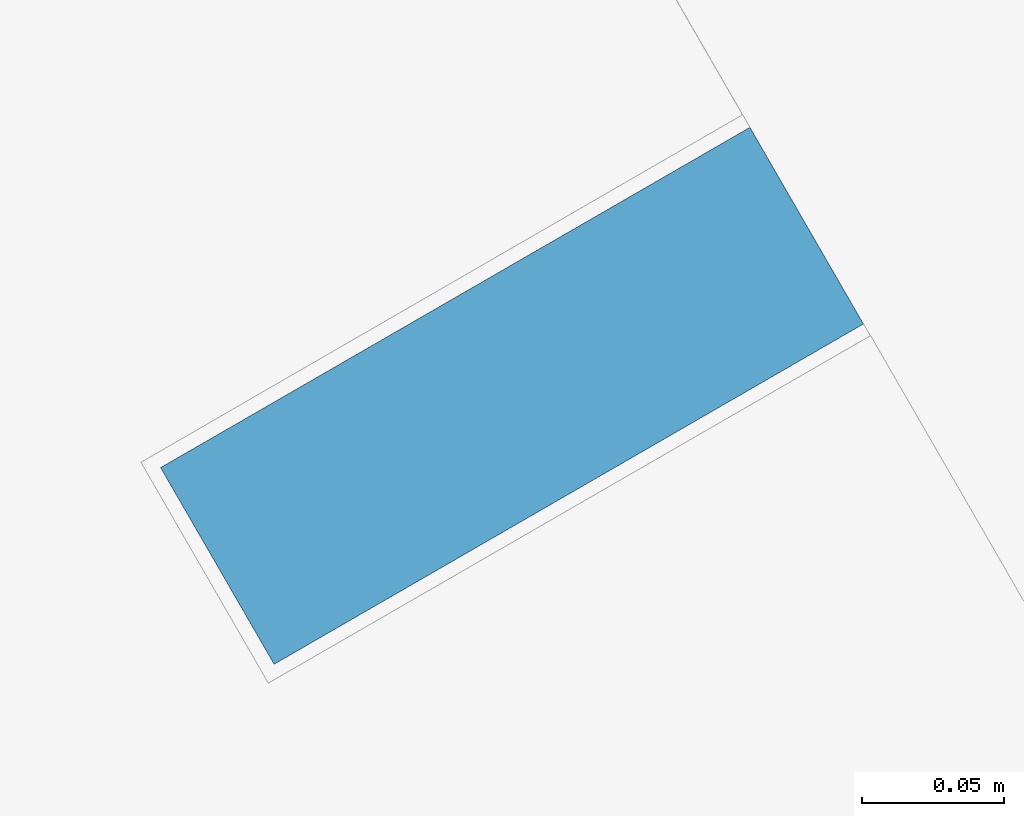
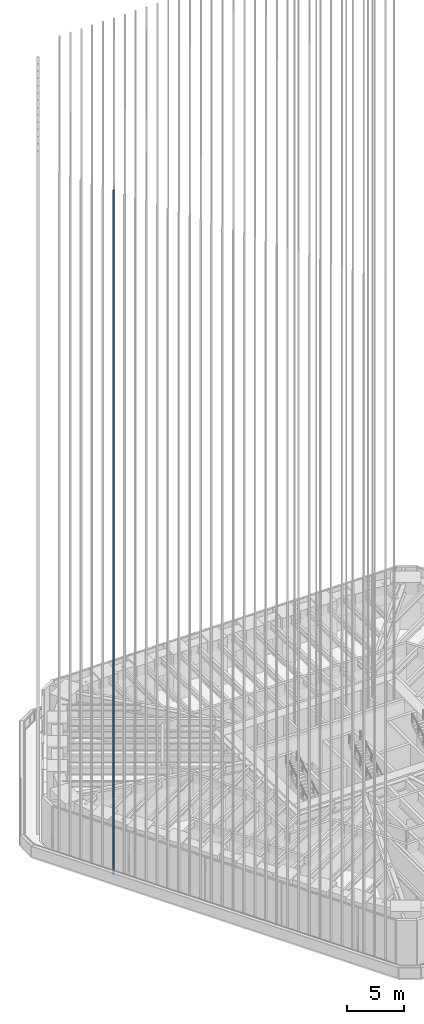
# One storey, part 61 of 228: 1 member, 1 element without a shape of its own.
"""IFC4 building model written with IfcOpenShell, lengths in metres."""

from ifc_helpers import new_model, si_unit, direction, frame, origin, origin_2d, place, context, subcontext, project, spatial, rectangle, extrude, material, material_profile, profile_set, type_object, element, aggregate, save


model = new_model("IFC4")

# Units and contexts
model_context = context("Model", 3, precision=1e-05, world=origin(), true_north=direction((0.0, 1.0)))
body_context = subcontext(model_context, "Body", "Model", "MODEL_VIEW")
ifc_project = project(units=[si_unit("LENGTHUNIT", "METRE"), si_unit("AREAUNIT", "SQUARE_METRE"), si_unit("VOLUMEUNIT", "CUBIC_METRE"), si_unit("PLANEANGLEUNIT", "RADIAN"), si_unit("MASSUNIT", "GRAM", prefix="KILO")], contexts=[model_context])

# Site, building, storey
site_placement = place(None, origin())
site = spatial("IfcSite", under=ifc_project, at=site_placement, CompositionType="ELEMENT")
building_placement = place(site_placement, origin())
building = spatial("IfcBuilding", under=site, at=building_placement, Name="Sandreach Pilgrim Tower", CompositionType="ELEMENT")
storey_placement = place(building_placement, frame((0.0, 0.0, 178.199951171875)))
storey = spatial("IfcBuildingStorey", under=building, at=storey_placement, Name="L44", CompositionType="ELEMENT", Elevation=178.199951171875)

# Curtain wall, member
ifc_material_1 = material(Name="Aluminium framed curtain wall", Category="aluminium")
curtain_wall_type = type_object("IfcCurtainWallType", Name="Upper hotel tower curtain wall", PredefinedType="NOTDEFINED", material=ifc_material_1)
curtain_wall_placement = place(storey_placement, origin())
curtain_wall = element("IfcCurtainWall", 1, at=curtain_wall_placement, inside=storey, type_object=curtain_wall_type, Name="CW-3 L44 SW", PredefinedType="NOTDEFINED")
ifc_material_2 = material(Name="Extruded terracotta on aluminium core", Category="masonry")
ifc_material_profile = material_profile(ifc_material_2, rectangle(XDim=0.080078125, YDim=0.239990234375, at=origin_2d()), Name="TBW 80X240")
ifc_profile_set = profile_set([ifc_material_profile], Name="Extruded terracotta on aluminium core")
member_type = type_object("IfcMemberType", Name="Terracotta baguette west", PredefinedType="USERDEFINED", material=ifc_profile_set)
member_placement = place(storey_placement, frame((-24.198974609375, -1.246337890625, 0.0), z_axis=(0.0, 0.0, 1.0), x_axis=(-0.5, 0.866025403784, 0.0)))
member = element("IfcMember", 2, at=member_placement, type_object=member_type, Name="Baguette Z3 SW26", ObjectType="BAGUETTE", PredefinedType="USERDEFINED", context=body_context, shape_type="SweptSolid", body=[
    extrude(rectangle(XDim=0.080078125, YDim=0.239990234375, at=origin_2d()), origin(), (0.0, 0.0, 1.0), 73.239990234375),
])
aggregate(curtain_wall, [member])

save(model, "model.ifc")
